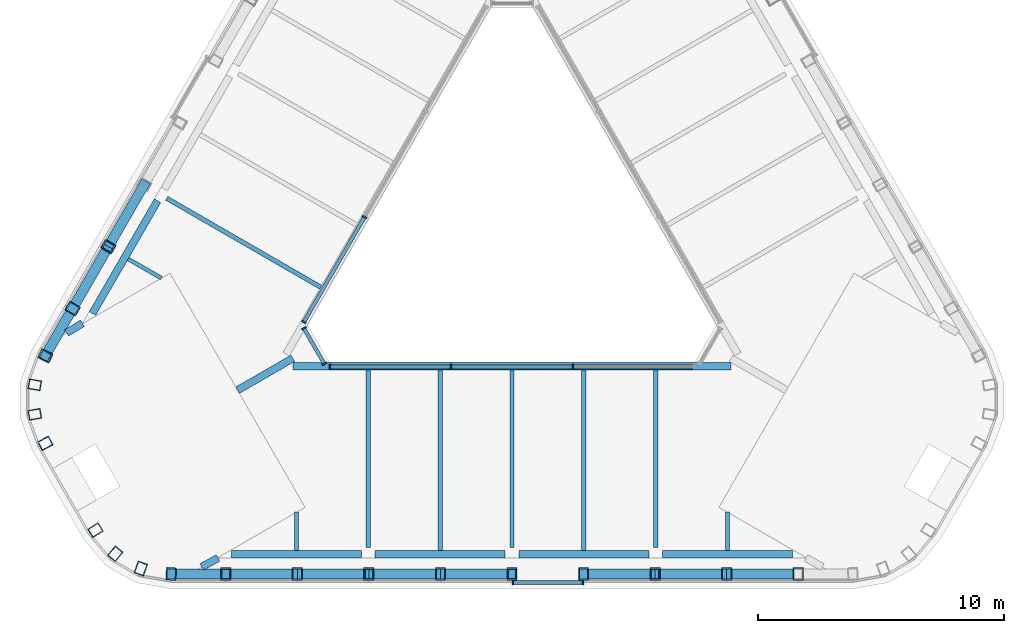
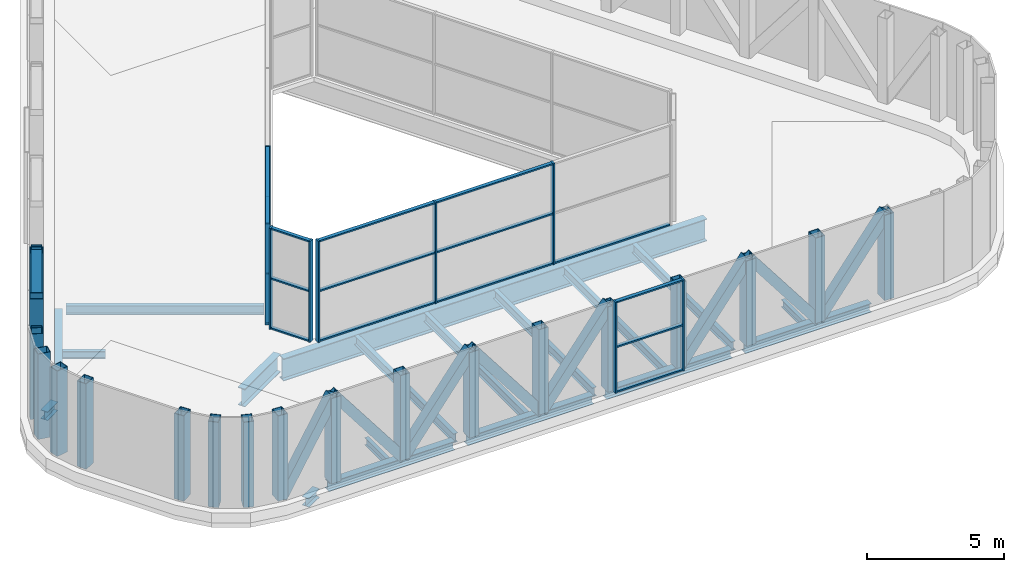
# One storey, part 1 of 5: 55 members, 18 beams, 4 elements without a shape of their own.
"""IFC4 building model written with IfcOpenShell, lengths in metres."""

from ifc_helpers import new_model, si_unit, direction, frame, origin, origin_2d, place, context, subcontext, project, spatial, rectangle, hollow_rectangle, i_section, extrude, material, layer, layer_set, material_profile, profile_set, type_object, element, aggregate, save


model = new_model("IFC4")

# Units and contexts
model_context = context("Model", 3, precision=1e-05, world=origin(), true_north=direction((0.0, 1.0)))
body_context = subcontext(model_context, "Body", "Model", "MODEL_VIEW")
ifc_project = project(units=[si_unit("LENGTHUNIT", "METRE"), si_unit("AREAUNIT", "SQUARE_METRE"), si_unit("VOLUMEUNIT", "CUBIC_METRE"), si_unit("PLANEANGLEUNIT", "RADIAN"), si_unit("MASSUNIT", "GRAM", prefix="KILO")], contexts=[model_context])

# Site, building, storey
site_placement = place(None, origin())
site = spatial("IfcSite", under=ifc_project, at=site_placement, CompositionType="ELEMENT")
building_placement = place(site_placement, origin())
building = spatial("IfcBuilding", under=site, at=building_placement, Name="Apuvela Tower Hotel", CompositionType="ELEMENT")
storey_placement = place(building_placement, frame((0.0, 0.0, 348.800048828125)))
storey = spatial("IfcBuildingStorey", under=building, at=storey_placement, Name="R-2 ROOF", CompositionType="ELEMENT", Elevation=348.800048828125)

# Members
ifc_material_1 = material(Name="Steel S355, black paint system", Category="steel")
ifc_material_profile_1 = material_profile(ifc_material_1, hollow_rectangle(XDim=0.39990234375, YDim=0.39990234375, WallThickness=0.01611328125, at=origin_2d()), Name="HSS 400x400x16")
ifc_profile_set_1 = profile_set([ifc_material_profile_1], Name="Steel S355, black paint system")
member_type_1 = type_object("IfcMemberType", Name="ENV-CROWN-BRACE-400x400", PredefinedType="BRACE", material=ifc_profile_set_1)
member_1_placement = place(storey_placement, frame((-14.972412109375, 1.91943359375, 0.449951171875), z_axis=(-0.304140565661, -0.526738414272, 0.793753840463), x_axis=(0.866005469285, -0.500034525977, 0.0)))
element("IfcMember", 1, at=member_1_placement, inside=storey, type_object=member_type_1, Name="Crown frame brace 14", PredefinedType="BRACE", context=body_context, shape_type="SweptSolid", body=[
    extrude(hollow_rectangle(XDim=0.39990234375, YDim=0.39990234375, WallThickness=0.01611328125, at=origin_2d()), origin(), (0.0, 0.0, 1.0), 4.787353515625),
])
member_2_placement = place(storey_placement, frame((-17.884521484375, -3.124267578125, 0.449951171875), z_axis=(0.304132395896, 0.526775259827, 0.7937325188), x_axis=(-0.866026430432, 0.49999822179, 0.0)))
element("IfcMember", 2, at=member_2_placement, inside=storey, type_object=member_type_1, Name="Crown frame brace 15", PredefinedType="BRACE", context=body_context, shape_type="SweptSolid", body=[
    extrude(hollow_rectangle(XDim=0.39990234375, YDim=0.39990234375, WallThickness=0.01611328125, at=origin_2d()), origin(), (0.0, 0.0, 1.0), 4.78759765625),
])
for number, where, z_axis, x_axis, name in (
    (3, (-17.884521484375, -3.124267578125, 0.449951171875), (-0.252475849693, -0.437354936642, 0.863120272452), (0.866052104262, -0.499953750565, 0.0), "Crown frame brace 16"),
    (4, (-13.87109375, -13.92626953125, 0.449951171875), (0.504963610752, 0.0, 0.863140632699), (0.0, 1.0, 0.0), "Crown frame brace 24"),
):
    element("IfcMember", number, at=place(storey_placement, frame(where, z_axis=z_axis, x_axis=x_axis)), inside=storey, type_object=member_type_1, Name=name, PredefinedType="BRACE", context=body_context, shape_type="SweptSolid", body=[
        extrude(hollow_rectangle(XDim=0.39990234375, YDim=0.39990234375, WallThickness=0.01611328125, at=origin_2d()), origin(), (0.0, 0.0, 1.0), 4.402587890625),
    ])
member_3_placement = place(storey_placement, frame((-8.73583984375, -13.92626953125, 0.449951171875), z_axis=(-0.608265592169, 0.0, 0.793733563221), x_axis=(0.0, -1.0, 0.0)))
element("IfcMember", 5, at=member_3_placement, inside=storey, type_object=member_type_1, Name="Crown frame brace 25", PredefinedType="BRACE", context=body_context, shape_type="SweptSolid", body=[
    extrude(hollow_rectangle(XDim=0.39990234375, YDim=0.39990234375, WallThickness=0.01611328125, at=origin_2d()), origin(), (0.0, 0.0, 1.0), 4.78759765625),
])
for number, where, z_axis, x_axis, name in (
    (6, (-8.73583984375, -13.92626953125, 0.449951171875), (0.608233463308, 0.0, 0.79375818365), (0.0, 1.0, 0.0), "Crown frame brace 26"),
    (7, (-2.912109375, -13.92626953125, 0.449951171875), (-0.608233463308, 0.0, 0.79375818365), (0.0, -1.0, 0.0), "Crown frame brace 27"),
):
    element("IfcMember", number, at=place(storey_placement, frame(where, z_axis=z_axis, x_axis=x_axis)), inside=storey, type_object=member_type_1, Name=name, PredefinedType="BRACE", context=body_context, shape_type="SweptSolid", body=[
        extrude(hollow_rectangle(XDim=0.39990234375, YDim=0.39990234375, WallThickness=0.01611328125, at=origin_2d()), origin(), (0.0, 0.0, 1.0), 4.787353515625),
    ])
member_4_placement = place(storey_placement, frame((-2.912109375, -13.92626953125, 0.449951171875), z_axis=(0.608265592169, 0.0, 0.793733563221), x_axis=(0.0, 1.0, 0.0)))
element("IfcMember", 8, at=member_4_placement, inside=storey, type_object=member_type_1, Name="Crown frame brace 28", PredefinedType="BRACE", context=body_context, shape_type="SweptSolid", body=[
    extrude(hollow_rectangle(XDim=0.39990234375, YDim=0.39990234375, WallThickness=0.01611328125, at=origin_2d()), origin(), (0.0, 0.0, 1.0), 4.78759765625),
])
for number, where, z_axis, x_axis, name in (
    (9, (2.912109375, -13.92626953125, 0.449951171875), (0.608233463308, 0.0, 0.79375818365), (0.0, 1.0, 0.0), "Crown frame brace 30"),
    (10, (8.73583984375, -13.92626953125, 0.449951171875), (-0.608233463308, 0.0, 0.79375818365), (0.0, -1.0, 0.0), "Crown frame brace 31"),
):
    element("IfcMember", number, at=place(storey_placement, frame(where, z_axis=z_axis, x_axis=x_axis)), inside=storey, type_object=member_type_1, Name=name, PredefinedType="BRACE", context=body_context, shape_type="SweptSolid", body=[
        extrude(hollow_rectangle(XDim=0.39990234375, YDim=0.39990234375, WallThickness=0.01611328125, at=origin_2d()), origin(), (0.0, 0.0, 1.0), 4.787353515625),
    ])
member_5_placement = place(storey_placement, frame((8.73583984375, -13.92626953125, 0.449951171875), z_axis=(0.608265592169, 0.0, 0.793733563221), x_axis=(0.0, 1.0, 0.0)))
element("IfcMember", 11, at=member_5_placement, inside=storey, type_object=member_type_1, Name="Crown frame brace 32", PredefinedType="BRACE", context=body_context, shape_type="SweptSolid", body=[
    extrude(hollow_rectangle(XDim=0.39990234375, YDim=0.39990234375, WallThickness=0.01611328125, at=origin_2d()), origin(), (0.0, 0.0, 1.0), 4.78759765625),
])
ifc_material_profile_2 = material_profile(ifc_material_1, hollow_rectangle(XDim=0.39990234375, YDim=0.5, WallThickness=0.02001953125, at=origin_2d()), Name="HSS 500x400x20")
ifc_profile_set_2 = profile_set([ifc_material_profile_2], Name="Steel S355, black paint system")
member_type_2 = type_object("IfcMemberType", Name="ENV-CROWN-POST-500x400", PredefinedType="POST", material=ifc_profile_set_2)
for number, where, z_axis, x_axis, name in (
    (12, (-16.428466796875, -0.602294921875, 0.449951171875), (0.0, 0.0, 1.0), (-0.5, -0.866025403784, 0.0), "Crown frame post 15"),
    (13, (-17.884521484375, -3.124267578125, 0.449951171875), (0.0, 0.0, 1.0), (-0.5, -0.866025403784, 0.0), "Crown frame post 16"),
    (14, (-18.99609375, -5.0498046875, 0.449951171875), (0.0, 0.0, 1.0), (-0.444553885133, -0.895752110359, 0.0), "Crown frame post 17"),
    (15, (-19.42529296875, -6.229248046875, 0.449951171875), (0.0, 0.0, 1.0), (-0.177414537484, -0.984136211045, 0.0), "Crown frame post 18"),
    (16, (-19.42529296875, -7.43115234375, 0.449951171875), (0.0, 0.0, 1.0), (0.177414537484, -0.984136211045, 0.0), "Crown frame post 19"),
    (17, (-18.99609375, -8.610595703125, 0.449951171875), (0.0, 0.0, 1.0), (0.464115596815, -0.885774639958, 0.0), "Crown frame post 20"),
    (18, (-16.955078125, -12.145751953125, 0.449951171875), (0.0, 0.0, 1.0), (0.535045541825, -0.844823217113, 0.0), "Crown frame post 21"),
    (19, (-16.148193359375, -13.107421875, 0.449951171875), (0.0, 0.0, 1.0), (0.763579690807, -0.645713601984, 0.0), "Crown frame post 22"),
    (20, (-15.107421875, -13.708251953125, 0.449951171875), (0.0, 0.0, 1.0), (0.940994228291, -0.33842260906, 0.0), "Crown frame post 23"),
    (21, (-13.87109375, -13.92626953125, 0.449951171875), (0.0, 0.0, 1.0), (0.998021025631, -0.062881097303, 0.0), "Crown frame post 24"),
    (22, (-11.64794921875, -13.92626953125, 0.449951171875), (0.0, 0.0, 1.0), (1.0, 0.0, 0.0), "Crown frame post 25"),
    (23, (-8.73583984375, -13.92626953125, 0.449951171875), (0.0, 0.0, 1.0), (1.0, 0.0, 0.0), "Crown frame post 26"),
    (24, (-5.823974609375, -13.92626953125, 0.449951171875), (0.0, 0.0, 1.0), (1.0, 0.0, 0.0), "Crown frame post 27"),
    (25, (-2.912109375, -13.92626953125, 0.449951171875), (0.0, 0.0, 1.0), (1.0, 0.0, 0.0), "Crown frame post 28"),
    (26, (0.0, -13.92626953125, 0.449951171875), (0.0, 0.0, 1.0), (1.0, 0.0, 0.0), "Crown frame post 29"),
    (27, (2.912109375, -13.92626953125, 0.449951171875), (0.0, 0.0, 1.0), (1.0, 0.0, 0.0), "Crown frame post 30"),
    (28, (5.823974609375, -13.92626953125, 0.449951171875), (0.0, 0.0, 1.0), (1.0, 0.0, 0.0), "Crown frame post 31"),
    (29, (8.73583984375, -13.92626953125, 0.449951171875), (0.0, 0.0, 1.0), (1.0, 0.0, 0.0), "Crown frame post 32"),
    (30, (11.64794921875, -13.92626953125, 0.449951171875), (0.0, 0.0, 1.0), (1.0, 0.0, 0.0), "Crown frame post 33"),
):
    element("IfcMember", number, at=place(storey_placement, frame(where, z_axis=z_axis, x_axis=x_axis)), inside=storey, type_object=member_type_2, Name=name, PredefinedType="POST", context=body_context, shape_type="SweptSolid", body=[
        extrude(hollow_rectangle(XDim=0.39990234375, YDim=0.5, WallThickness=0.02001953125, at=origin_2d()), origin(), (0.0, 0.0, 1.0), 3.800048828125),
    ])

# Curtain wall, members
ifc_material_2 = material(Name="Aluminium 6063-T6, dark bronze anodised", Category="aluminium")
ifc_layer_1 = layer(ifc_material_2, 0.199951171875)
ifc_layer_set_1 = layer_set([ifc_layer_1], Name="ENV-CW-C")
curtain_wall_type_1 = type_object("IfcCurtainWallType", Name="ENV-CW-C", PredefinedType="NOTDEFINED", material=ifc_layer_set_1)
curtain_wall_1_placement = place(storey_placement, origin())
curtain_wall_1 = element("IfcCurtainWall", 31, at=curtain_wall_1_placement, inside=storey, type_object=curtain_wall_type_1, Name="Crown glazing 29 R-2 ROOF", PredefinedType="NOTDEFINED")
ifc_material_profile_3 = material_profile(ifc_material_2, rectangle(XDim=0.199951171875, YDim=0.06494140625, at=origin_2d()), Name="AL 65x200")
ifc_profile_set_3 = profile_set([ifc_material_profile_3], Name="Aluminium 6063-T6, dark bronze anodised")
member_type_3 = type_object("IfcMemberType", Name="ENV-MULLION-65x200", PredefinedType="MULLION", material=ifc_profile_set_3)
member_6_placement = place(storey_placement, frame((0.032470703125, -14.276123046875, 0.449951171875), z_axis=(0.0, 0.0, 1.0), x_axis=(0.0, 1.0, 0.0)))
member_6 = element("IfcMember", 32, at=member_6_placement, type_object=member_type_3, Name="CW-C mullion 1", PredefinedType="MULLION", context=body_context, shape_type="SweptSolid", body=[
    extrude(rectangle(XDim=0.199951171875, YDim=0.06494140625, at=origin_2d()), origin(), (0.0, 0.0, 1.0), 4.050048828125),
])
member_7_placement = place(storey_placement, frame((2.884765625, -14.276123046875, 0.449951171875), z_axis=(0.0, 0.0, 1.0), x_axis=(0.0, 1.0, 0.0)))
member_7 = element("IfcMember", 33, at=member_7_placement, type_object=member_type_3, Name="CW-C mullion 2", PredefinedType="MULLION", context=body_context, shape_type="SweptSolid", body=[
    extrude(rectangle(XDim=0.199951171875, YDim=0.06494140625, at=origin_2d()), origin(), (0.0, 0.0, 1.0), 4.050048828125),
])

ifc_layer_2 = layer(ifc_material_2, 0.199951171875)
ifc_layer_set_2 = layer_set([ifc_layer_2], Name="ENV-CW-A")
curtain_wall_type_2 = type_object("IfcCurtainWallType", Name="ENV-CW-A", PredefinedType="NOTDEFINED", material=ifc_layer_set_2)
curtain_wall_2_placement = place(storey_placement, origin())
curtain_wall_2 = element("IfcCurtainWall", 34, at=curtain_wall_2_placement, inside=storey, type_object=curtain_wall_type_2, Name="Atrium glazing 2 R-2 ROOF", PredefinedType="NOTDEFINED")
member_8_placement = place(storey_placement, frame((-6.00439453125, 0.60009765625, 0.0), z_axis=(0.0, 0.0, 1.0), x_axis=(0.866025940778, -0.499999069899, 0.0)))
member_8 = element("IfcMember", 35, at=member_8_placement, type_object=member_type_3, Name="CW-A mullion 3", PredefinedType="MULLION", context=body_context, shape_type="SweptSolid", body=[
    extrude(rectangle(XDim=0.199951171875, YDim=0.06494140625, at=origin_2d()), origin(), (0.0, 0.0, 1.0), 4.5),
])
member_9_placement = place(storey_placement, frame((-8.470703125, -3.671875, 0.0), z_axis=(0.0, 0.0, 1.0), x_axis=(0.866025940778, -0.499999069899, 0.0)))
member_9 = element("IfcMember", 36, at=member_9_placement, type_object=member_type_3, Name="CW-A mullion 4", PredefinedType="MULLION", context=body_context, shape_type="SweptSolid", body=[
    extrude(rectangle(XDim=0.199951171875, YDim=0.06494140625, at=origin_2d()), origin(), (0.0, 0.0, 1.0), 4.5),
])

curtain_wall_3_placement = place(storey_placement, origin())
curtain_wall_3 = element("IfcCurtainWall", 37, at=curtain_wall_3_placement, inside=storey, type_object=curtain_wall_type_2, Name="Atrium glazing 3 R-2 ROOF", PredefinedType="NOTDEFINED")
member_10_placement = place(storey_placement, frame((-8.470703125, -3.92822265625, 0.0), z_axis=(0.0, 0.0, 1.0), x_axis=(0.866031754706, 0.49998899972, 0.0)))
member_10 = element("IfcMember", 38, at=member_10_placement, type_object=member_type_3, Name="CW-A mullion 1", PredefinedType="MULLION", context=body_context, shape_type="SweptSolid", body=[
    extrude(rectangle(XDim=0.199951171875, YDim=0.06494140625, at=origin_2d()), origin(), (0.0, 0.0, 1.0), 4.5),
])
member_11_placement = place(storey_placement, frame((-7.63720703125, -5.371826171875, 0.0), z_axis=(0.0, 0.0, 1.0), x_axis=(0.866031754706, 0.49998899972, 0.0)))
member_11 = element("IfcMember", 39, at=member_11_placement, type_object=member_type_3, Name="CW-A mullion 2", PredefinedType="MULLION", context=body_context, shape_type="SweptSolid", body=[
    extrude(rectangle(XDim=0.199951171875, YDim=0.06494140625, at=origin_2d()), origin(), (0.0, 0.0, 1.0), 4.5),
])

curtain_wall_4_placement = place(storey_placement, origin())
curtain_wall_4 = element("IfcCurtainWall", 40, at=curtain_wall_4_placement, inside=storey, type_object=curtain_wall_type_2, Name="Atrium glazing 4 R-2 ROOF", PredefinedType="NOTDEFINED")
member_12_placement = place(storey_placement, frame((-7.415283203125, -5.5, 0.0), z_axis=(0.0, 0.0, 1.0), x_axis=(0.0, 1.0, 0.0)))
member_12 = element("IfcMember", 41, at=member_12_placement, type_object=member_type_3, Name="CW-A mullion 1", PredefinedType="MULLION", context=body_context, shape_type="SweptSolid", body=[
    extrude(rectangle(XDim=0.199951171875, YDim=0.06494140625, at=origin_2d()), origin(), (0.0, 0.0, 1.0), 4.5),
])
member_13_placement = place(storey_placement, frame((-2.482666015625, -5.5, 0.0), z_axis=(0.0, 0.0, 1.0), x_axis=(0.0, 1.0, 0.0)))
member_13 = element("IfcMember", 42, at=member_13_placement, type_object=member_type_3, Name="CW-A mullion 2", PredefinedType="MULLION", context=body_context, shape_type="SweptSolid", body=[
    extrude(rectangle(XDim=0.199951171875, YDim=0.06494140625, at=origin_2d()), origin(), (0.0, 0.0, 1.0), 4.5),
])
member_14_placement = place(storey_placement, frame((2.482666015625, -5.5, 0.0), z_axis=(0.0, 0.0, 1.0), x_axis=(0.0, 1.0, 0.0)))
member_14 = element("IfcMember", 43, at=member_14_placement, type_object=member_type_3, Name="CW-A mullion 3", PredefinedType="MULLION", context=body_context, shape_type="SweptSolid", body=[
    extrude(rectangle(XDim=0.199951171875, YDim=0.06494140625, at=origin_2d()), origin(), (0.0, 0.0, 1.0), 4.5),
])

# Member
ifc_material_profile_4 = material_profile(ifc_material_2, rectangle(XDim=0.14990234375, YDim=0.06494140625, at=origin_2d()), Name="AL 65x150 transom")
ifc_profile_set_4 = profile_set([ifc_material_profile_4], Name="Aluminium 6063-T6, dark bronze anodised")
member_type_4 = type_object("IfcMemberType", Name="ENV-TRANSOM-65x150", PredefinedType="USERDEFINED", material=ifc_profile_set_4)
member_15_placement = place(storey_placement, frame((0.06494140625, -14.276123046875, 0.482421875), z_axis=(1.0, 0.0, 0.0), x_axis=(0.0, 1.0, 0.0)))
member_15 = element("IfcMember", 44, at=member_15_placement, type_object=member_type_4, Name="CW-C transom 1.1", ObjectType="TRANSOM", PredefinedType="USERDEFINED", context=body_context, shape_type="SweptSolid", body=[
    extrude(rectangle(XDim=0.14990234375, YDim=0.06494140625, at=origin_2d()), origin(), (0.0, 0.0, 1.0), 2.787353515625),
])

member_16_placement = place(storey_placement, frame((0.06494140625, -14.276123046875, 2.474853515625), z_axis=(1.0, 0.0, 0.0), x_axis=(0.0, 1.0, 0.0)))
member_16 = element("IfcMember", 45, at=member_16_placement, type_object=member_type_4, Name="CW-C transom 1.2", ObjectType="TRANSOM", PredefinedType="USERDEFINED", context=body_context, shape_type="SweptSolid", body=[
    extrude(rectangle(XDim=0.14990234375, YDim=0.06494140625, at=origin_2d()), origin(), (0.0, 0.0, 1.0), 2.787353515625),
])

member_17_placement = place(storey_placement, frame((0.06494140625, -14.276123046875, 4.467529296875), z_axis=(1.0, 0.0, 0.0), x_axis=(0.0, 1.0, 0.0)))
member_17 = element("IfcMember", 46, at=member_17_placement, type_object=member_type_4, Name="CW-C transom 1.3", ObjectType="TRANSOM", PredefinedType="USERDEFINED", context=body_context, shape_type="SweptSolid", body=[
    extrude(rectangle(XDim=0.14990234375, YDim=0.06494140625, at=origin_2d()), origin(), (0.0, 0.0, 1.0), 2.787353515625),
])

aggregate(curtain_wall_1, [member_6, member_7, member_15, member_16, member_17])

member_18_placement = place(storey_placement, frame((-6.020751953125, 0.57177734375, 0.032470703125), z_axis=(-0.49999597136, -0.866027729709, 0.0), x_axis=(0.866027729709, -0.49999597136, 0.0)))
member_18 = element("IfcMember", 47, at=member_18_placement, type_object=member_type_4, Name="CW-A transom 3.1", ObjectType="TRANSOM", PredefinedType="USERDEFINED", context=body_context, shape_type="SweptSolid", body=[
    extrude(rectangle(XDim=0.14990234375, YDim=0.06494140625, at=origin_2d()), origin(), (0.0, 0.0, 1.0), 4.86767578125),
])

member_19_placement = place(storey_placement, frame((-6.020751953125, 0.57177734375, 2.25), z_axis=(-0.49999597136, -0.866027729709, 0.0), x_axis=(0.866027729709, -0.49999597136, 0.0)))
member_19 = element("IfcMember", 48, at=member_19_placement, type_object=member_type_4, Name="CW-A transom 3.2", ObjectType="TRANSOM", PredefinedType="USERDEFINED", context=body_context, shape_type="SweptSolid", body=[
    extrude(rectangle(XDim=0.14990234375, YDim=0.06494140625, at=origin_2d()), origin(), (0.0, 0.0, 1.0), 4.86767578125),
])

member_20_placement = place(storey_placement, frame((-6.020751953125, 0.57177734375, 4.467529296875), z_axis=(-0.49999597136, -0.866027729709, 0.0), x_axis=(0.866027729709, -0.49999597136, 0.0)))
member_20 = element("IfcMember", 49, at=member_20_placement, type_object=member_type_4, Name="CW-A transom 3.3", ObjectType="TRANSOM", PredefinedType="USERDEFINED", context=body_context, shape_type="SweptSolid", body=[
    extrude(rectangle(XDim=0.14990234375, YDim=0.06494140625, at=origin_2d()), origin(), (0.0, 0.0, 1.0), 4.86767578125),
])

aggregate(curtain_wall_2, [member_8, member_9, member_18, member_19, member_20])

member_21_placement = place(storey_placement, frame((-8.45458984375, -3.956298828125, 0.032470703125), z_axis=(0.499990676028, -0.866030786915, 0.0), x_axis=(0.866030786915, 0.499990676028, 0.0)))
member_21 = element("IfcMember", 50, at=member_21_placement, type_object=member_type_4, Name="CW-A transom 1.1", ObjectType="TRANSOM", PredefinedType="USERDEFINED", context=body_context, shape_type="SweptSolid", body=[
    extrude(rectangle(XDim=0.14990234375, YDim=0.06494140625, at=origin_2d()), origin(), (0.0, 0.0, 1.0), 1.60205078125),
])

member_22_placement = place(storey_placement, frame((-8.45458984375, -3.956298828125, 2.25), z_axis=(0.499990676028, -0.866030786915, 0.0), x_axis=(0.866030786915, 0.499990676028, 0.0)))
member_22 = element("IfcMember", 51, at=member_22_placement, type_object=member_type_4, Name="CW-A transom 1.2", ObjectType="TRANSOM", PredefinedType="USERDEFINED", context=body_context, shape_type="SweptSolid", body=[
    extrude(rectangle(XDim=0.14990234375, YDim=0.06494140625, at=origin_2d()), origin(), (0.0, 0.0, 1.0), 1.60205078125),
])

member_23_placement = place(storey_placement, frame((-8.45458984375, -3.956298828125, 4.467529296875), z_axis=(0.499990676028, -0.866030786915, 0.0), x_axis=(0.866030786915, 0.499990676028, 0.0)))
member_23 = element("IfcMember", 52, at=member_23_placement, type_object=member_type_4, Name="CW-A transom 1.3", ObjectType="TRANSOM", PredefinedType="USERDEFINED", context=body_context, shape_type="SweptSolid", body=[
    extrude(rectangle(XDim=0.14990234375, YDim=0.06494140625, at=origin_2d()), origin(), (0.0, 0.0, 1.0), 1.60205078125),
])

aggregate(curtain_wall_3, [member_10, member_11, member_21, member_22, member_23])

member_24_placement = place(storey_placement, frame((-7.3828125, -5.5, 0.032470703125), z_axis=(1.0, 0.0, 0.0), x_axis=(0.0, 1.0, 0.0)))
member_24 = element("IfcMember", 53, at=member_24_placement, type_object=member_type_4, Name="CW-A transom 1.1", ObjectType="TRANSOM", PredefinedType="USERDEFINED", context=body_context, shape_type="SweptSolid", body=[
    extrude(rectangle(XDim=0.14990234375, YDim=0.06494140625, at=origin_2d()), origin(), (0.0, 0.0, 1.0), 4.86767578125),
])

member_25_placement = place(storey_placement, frame((-7.3828125, -5.5, 2.25), z_axis=(1.0, 0.0, 0.0), x_axis=(0.0, 1.0, 0.0)))
member_25 = element("IfcMember", 54, at=member_25_placement, type_object=member_type_4, Name="CW-A transom 1.2", ObjectType="TRANSOM", PredefinedType="USERDEFINED", context=body_context, shape_type="SweptSolid", body=[
    extrude(rectangle(XDim=0.14990234375, YDim=0.06494140625, at=origin_2d()), origin(), (0.0, 0.0, 1.0), 4.86767578125),
])

member_26_placement = place(storey_placement, frame((-7.3828125, -5.5, 4.467529296875), z_axis=(1.0, 0.0, 0.0), x_axis=(0.0, 1.0, 0.0)))
member_26 = element("IfcMember", 55, at=member_26_placement, type_object=member_type_4, Name="CW-A transom 1.3", ObjectType="TRANSOM", PredefinedType="USERDEFINED", context=body_context, shape_type="SweptSolid", body=[
    extrude(rectangle(XDim=0.14990234375, YDim=0.06494140625, at=origin_2d()), origin(), (0.0, 0.0, 1.0), 4.86767578125),
])

member_27_placement = place(storey_placement, frame((-2.4501953125, -5.5, 0.032470703125), z_axis=(1.0, 0.0, 0.0), x_axis=(0.0, 1.0, 0.0)))
member_27 = element("IfcMember", 56, at=member_27_placement, type_object=member_type_4, Name="CW-A transom 2.1", ObjectType="TRANSOM", PredefinedType="USERDEFINED", context=body_context, shape_type="SweptSolid", body=[
    extrude(rectangle(XDim=0.14990234375, YDim=0.06494140625, at=origin_2d()), origin(), (0.0, 0.0, 1.0), 4.900390625),
])

member_28_placement = place(storey_placement, frame((-2.4501953125, -5.5, 2.25), z_axis=(1.0, 0.0, 0.0), x_axis=(0.0, 1.0, 0.0)))
member_28 = element("IfcMember", 57, at=member_28_placement, type_object=member_type_4, Name="CW-A transom 2.2", ObjectType="TRANSOM", PredefinedType="USERDEFINED", context=body_context, shape_type="SweptSolid", body=[
    extrude(rectangle(XDim=0.14990234375, YDim=0.06494140625, at=origin_2d()), origin(), (0.0, 0.0, 1.0), 4.900390625),
])

member_29_placement = place(storey_placement, frame((-2.4501953125, -5.5, 4.467529296875), z_axis=(1.0, 0.0, 0.0), x_axis=(0.0, 1.0, 0.0)))
member_29 = element("IfcMember", 58, at=member_29_placement, type_object=member_type_4, Name="CW-A transom 2.3", ObjectType="TRANSOM", PredefinedType="USERDEFINED", context=body_context, shape_type="SweptSolid", body=[
    extrude(rectangle(XDim=0.14990234375, YDim=0.06494140625, at=origin_2d()), origin(), (0.0, 0.0, 1.0), 4.900390625),
])

member_30_placement = place(storey_placement, frame((2.51513671875, -5.5, 0.032470703125), z_axis=(1.0, 0.0, 0.0), x_axis=(0.0, 1.0, 0.0)))
member_30 = element("IfcMember", 59, at=member_30_placement, type_object=member_type_4, Name="CW-A transom 3.1", ObjectType="TRANSOM", PredefinedType="USERDEFINED", context=body_context, shape_type="SweptSolid", body=[
    extrude(rectangle(XDim=0.14990234375, YDim=0.06494140625, at=origin_2d()), origin(), (0.0, 0.0, 1.0), 4.86767578125),
])

aggregate(curtain_wall_4, [member_12, member_13, member_14, member_24, member_25, member_26, member_27, member_28, member_29, member_30])

# Beams
ifc_material_3 = material(Name="Steel S355", Category="steel")
ifc_material_profile_5 = material_profile(ifc_material_3, i_section(OverallWidth=0.159912109375, OverallDepth=0.330078125, WebThickness=0.007568359375, FlangeThickness=0.011474609375, at=origin_2d()), Name="IPE 330")
ifc_profile_set_5 = profile_set([ifc_material_profile_5], Name="Steel S355")
beam_type_1 = type_object("IfcBeamType", Name="STR-B floor beam IPE 330", PredefinedType="BEAM", material=ifc_profile_set_5)
beam_1_placement = place(storey_placement, frame((-15.622314453125, -1.106201171875, -0.364990234375), z_axis=(0.866042488821, -0.49997040668, 0.0), x_axis=(0.49997040668, 0.866042488821, 0.0)))
element("IfcBeam", 60, at=beam_1_placement, inside=storey, type_object=beam_type_1, Name="Floor beam B1 NW8", PredefinedType="BEAM", context=body_context, shape_type="SweptSolid", body=[
    extrude(i_section(OverallWidth=0.159912109375, OverallDepth=0.330078125, WebThickness=0.007568359375, FlangeThickness=0.011474609375, at=origin_2d()), origin(), (0.0, 0.0, 1.0), 1.5625),
])
for number, where, z_axis, x_axis, name in (
    (61, (-8.76904296875, -12.976318359375, -0.364990234375), (0.0, 1.0, 0.0), (-1.0, 0.0, 0.0), "Floor beam B1 S2"),
    (62, (8.76904296875, -12.976318359375, -0.364990234375), (0.0, 1.0, 0.0), (-1.0, 0.0, 0.0), "Floor beam B1 S8"),
):
    element("IfcBeam", number, at=place(storey_placement, frame(where, z_axis=z_axis, x_axis=x_axis)), inside=storey, type_object=beam_type_1, Name=name, PredefinedType="BEAM", context=body_context, shape_type="SweptSolid", body=[
        extrude(i_section(OverallWidth=0.159912109375, OverallDepth=0.330078125, WebThickness=0.007568359375, FlangeThickness=0.011474609375, at=origin_2d()), origin(), (0.0, 0.0, 1.0), 1.562744140625),
    ])
ifc_material_profile_6 = material_profile(ifc_material_3, i_section(OverallWidth=0.179931640625, OverallDepth=0.39990234375, WebThickness=0.008544921875, FlangeThickness=0.013427734375, at=origin_2d()), Name="IPE 400")
ifc_profile_set_6 = profile_set([ifc_material_profile_6], Name="Steel S355")
beam_type_2 = type_object("IfcBeamType", Name="STR-B floor beam IPE 400", PredefinedType="BEAM", material=ifc_profile_set_6)
for number, where, z_axis, x_axis, name in (
    (63, (-14.052490234375, 1.36279296875, -0.400146484375), (0.866034347176, -0.499984509272, 0.0), (0.499984509272, 0.866034347176, 0.0), "Floor beam B2 NW7"),
    (64, (-5.845947265625, -12.851318359375, -0.400146484375), (0.0, 1.0, 0.0), (-1.0, 0.0, 0.0), "Floor beam B2 S3"),
):
    element("IfcBeam", number, at=place(storey_placement, frame(where, z_axis=z_axis, x_axis=x_axis)), inside=storey, type_object=beam_type_2, Name=name, PredefinedType="BEAM", context=body_context, shape_type="SweptSolid", body=[
        extrude(i_section(OverallWidth=0.179931640625, OverallDepth=0.39990234375, WebThickness=0.008544921875, FlangeThickness=0.013427734375, at=origin_2d()), origin(), (0.0, 0.0, 1.0), 7.231201171875),
    ])
beam_2_placement = place(storey_placement, frame((-2.923095703125, -12.976318359375, -0.400146484375), z_axis=(0.0, 1.0, 0.0), x_axis=(-1.0, 0.0, 0.0)))
element("IfcBeam", 65, at=beam_2_placement, inside=storey, type_object=beam_type_2, Name="Floor beam B2 S4", PredefinedType="BEAM", context=body_context, shape_type="SweptSolid", body=[
    extrude(i_section(OverallWidth=0.179931640625, OverallDepth=0.39990234375, WebThickness=0.008544921875, FlangeThickness=0.013427734375, at=origin_2d()), origin(), (0.0, 0.0, 1.0), 7.356201171875),
])
beam_3_placement = place(storey_placement, frame((0.0, -12.851318359375, -0.400146484375), z_axis=(0.0, 1.0, 0.0), x_axis=(-1.0, 0.0, 0.0)))
element("IfcBeam", 66, at=beam_3_placement, inside=storey, type_object=beam_type_2, Name="Floor beam B2 S5", PredefinedType="BEAM", context=body_context, shape_type="SweptSolid", body=[
    extrude(i_section(OverallWidth=0.179931640625, OverallDepth=0.39990234375, WebThickness=0.008544921875, FlangeThickness=0.013427734375, at=origin_2d()), origin(), (0.0, 0.0, 1.0), 7.231201171875),
])
beam_4_placement = place(storey_placement, frame((2.923095703125, -12.976318359375, -0.400146484375), z_axis=(0.0, 1.0, 0.0), x_axis=(-1.0, 0.0, 0.0)))
element("IfcBeam", 67, at=beam_4_placement, inside=storey, type_object=beam_type_2, Name="Floor beam B2 S6", PredefinedType="BEAM", context=body_context, shape_type="SweptSolid", body=[
    extrude(i_section(OverallWidth=0.179931640625, OverallDepth=0.39990234375, WebThickness=0.008544921875, FlangeThickness=0.013427734375, at=origin_2d()), origin(), (0.0, 0.0, 1.0), 7.356201171875),
])
beam_5_placement = place(storey_placement, frame((5.845947265625, -12.851318359375, -0.400146484375), z_axis=(0.0, 1.0, 0.0), x_axis=(-1.0, 0.0, 0.0)))
element("IfcBeam", 68, at=beam_5_placement, inside=storey, type_object=beam_type_2, Name="Floor beam B2 S7", PredefinedType="BEAM", context=body_context, shape_type="SweptSolid", body=[
    extrude(i_section(OverallWidth=0.179931640625, OverallDepth=0.39990234375, WebThickness=0.008544921875, FlangeThickness=0.013427734375, at=origin_2d()), origin(), (0.0, 0.0, 1.0), 7.231201171875),
])
ifc_material_profile_7 = material_profile(ifc_material_3, i_section(OverallWidth=0.300048828125, OverallDepth=0.989990234375, WebThickness=0.0166015625, FlangeThickness=0.031005859375, at=origin_2d()), Name="HE 1000 A")
ifc_profile_set_7 = profile_set([ifc_material_profile_7], Name="Steel S355")
beam_type_3 = type_object("IfcBeamType", Name="STR-G atrium ring girder HE 1000 A", PredefinedType="BEAM", material=ifc_profile_set_7)
beam_6_placement = place(storey_placement, frame((-8.91455078125, -5.469970703125, -0.695068359375), z_axis=(1.0, 0.0, 0.0), x_axis=(0.0, 1.0, 0.0)))
element("IfcBeam", 69, at=beam_6_placement, inside=storey, type_object=beam_type_3, Name="Atrium ring girder G3 SW-SE", PredefinedType="BEAM", context=body_context, shape_type="SweptSolid", body=[
    extrude(i_section(OverallWidth=0.300048828125, OverallDepth=0.989990234375, WebThickness=0.0166015625, FlangeThickness=0.031005859375, at=origin_2d()), origin(), (0.0, 0.0, 1.0), 17.8291015625),
])
ifc_material_profile_8 = material_profile(ifc_material_3, i_section(OverallWidth=0.300048828125, OverallDepth=0.800048828125, WebThickness=0.017578125, FlangeThickness=0.032958984375, at=origin_2d()), Name="HE 800 B")
ifc_profile_set_8 = profile_set([ifc_material_profile_8], Name="Steel S355")
beam_type_4 = type_object("IfcBeamType", Name="STR-GT core tie beam HE 800 B", PredefinedType="BEAM", material=ifc_profile_set_8)
beam_7_placement = place(storey_placement, frame((-11.171630859375, -6.449951171875, -0.60009765625), z_axis=(0.865997922154, 0.500047596559, 0.0), x_axis=(-0.500047596559, 0.865997922154, 0.0)))
element("IfcBeam", 70, at=beam_7_placement, inside=storey, type_object=beam_type_4, Name="Core tie beam GT1 SW", PredefinedType="BEAM", context=body_context, shape_type="SweptSolid", body=[
    extrude(i_section(OverallWidth=0.300048828125, OverallDepth=0.800048828125, WebThickness=0.017578125, FlangeThickness=0.032958984375, at=origin_2d()), origin(), (0.0, 0.0, 1.0), 2.599853515625),
])
ifc_material_profile_9 = material_profile(ifc_material_3, i_section(OverallWidth=0.300048828125, OverallDepth=0.389892578125, WebThickness=0.010986328125, FlangeThickness=0.01904296875, at=origin_2d()), Name="HE 400 A")
ifc_profile_set_9 = profile_set([ifc_material_profile_9], Name="Steel S355")
beam_type_5 = type_object("IfcBeamType", Name="STR-SB spandrel beam HE 400 A", PredefinedType="SPANDREL", material=ifc_profile_set_9)
beam_8_placement = place(storey_placement, frame((-11.4169921875, -13.126220703125, -0.39501953125), z_axis=(1.0, 0.0, 0.0), x_axis=(0.0, 1.0, 0.0)))
element("IfcBeam", 71, at=beam_8_placement, inside=storey, type_object=beam_type_5, Name="Spandrel beam SB4 S1", PredefinedType="SPANDREL", context=body_context, shape_type="SweptSolid", body=[
    extrude(i_section(OverallWidth=0.300048828125, OverallDepth=0.389892578125, WebThickness=0.010986328125, FlangeThickness=0.01904296875, at=origin_2d()), origin(), (0.0, 0.0, 1.0), 5.2958984375),
])
for number, where, z_axis, x_axis, name in (
    (72, (-5.571044921875, -13.126220703125, -0.39501953125), (1.0, 0.0, 0.0), (0.0, 1.0, 0.0), "Spandrel beam SB4 S2"),
    (73, (0.27490234375, -13.126220703125, -0.39501953125), (1.0, 0.0, 0.0), (0.0, 1.0, 0.0), "Spandrel beam SB4 S3"),
):
    element("IfcBeam", number, at=place(storey_placement, frame(where, z_axis=z_axis, x_axis=x_axis)), inside=storey, type_object=beam_type_5, Name=name, PredefinedType="SPANDREL", context=body_context, shape_type="SweptSolid", body=[
        extrude(i_section(OverallWidth=0.300048828125, OverallDepth=0.389892578125, WebThickness=0.010986328125, FlangeThickness=0.01904296875, at=origin_2d()), origin(), (0.0, 0.0, 1.0), 5.296142578125),
    ])
beam_9_placement = place(storey_placement, frame((6.12109375, -13.126220703125, -0.39501953125), z_axis=(1.0, 0.0, 0.0), x_axis=(0.0, 1.0, 0.0)))
element("IfcBeam", 74, at=beam_9_placement, inside=storey, type_object=beam_type_5, Name="Spandrel beam SB4 S4", PredefinedType="SPANDREL", context=body_context, shape_type="SweptSolid", body=[
    extrude(i_section(OverallWidth=0.300048828125, OverallDepth=0.389892578125, WebThickness=0.010986328125, FlangeThickness=0.01904296875, at=origin_2d()), origin(), (0.0, 0.0, 1.0), 5.2958984375),
])
beam_10_placement = place(storey_placement, frame((-14.427978515625, 1.26220703125, -0.39501953125), z_axis=(-0.500031041629, -0.86600748115, 0.0), x_axis=(0.86600748115, -0.500031041629, 0.0)))
element("IfcBeam", 75, at=beam_10_placement, inside=storey, type_object=beam_type_5, Name="Spandrel beam SB4 NW4", PredefinedType="SPANDREL", context=body_context, shape_type="SweptSolid", body=[
    extrude(i_section(OverallWidth=0.300048828125, OverallDepth=0.389892578125, WebThickness=0.010986328125, FlangeThickness=0.01904296875, at=origin_2d()), origin(), (0.0, 0.0, 1.0), 5.296142578125),
])
for number, where, z_axis, x_axis, name in (
    (76, (-11.967041015625, -13.277587890625, -0.39501953125), (-0.875908078842, -0.482478017551, 0.0), (0.482478017551, -0.875908078842, 0.0), "Spandrel beam SB4 S1-SW"),
    (77, (-17.482421875, -3.724853515625, -0.39501953125), (-0.855658607708, -0.517540671884, 0.0), (0.517540671884, -0.855658607708, 0.0), "Spandrel beam SB4 NW5-SW"),
):
    element("IfcBeam", number, at=place(storey_placement, frame(where, z_axis=z_axis, x_axis=x_axis)), inside=storey, type_object=beam_type_5, Name=name, PredefinedType="SPANDREL", context=body_context, shape_type="SweptSolid", body=[
        extrude(i_section(OverallWidth=0.300048828125, OverallDepth=0.389892578125, WebThickness=0.010986328125, FlangeThickness=0.01904296875, at=origin_2d()), origin(), (0.0, 0.0, 1.0), 0.75390625),
    ])

save(model, "model.ifc")
